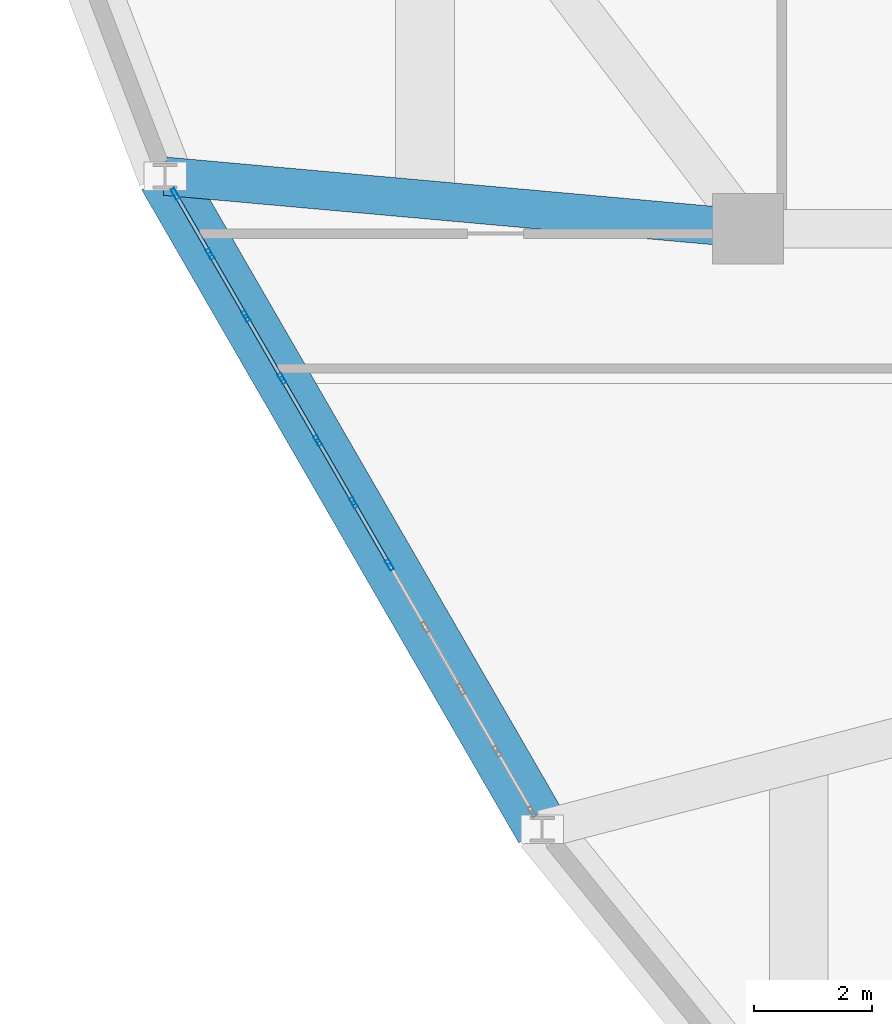
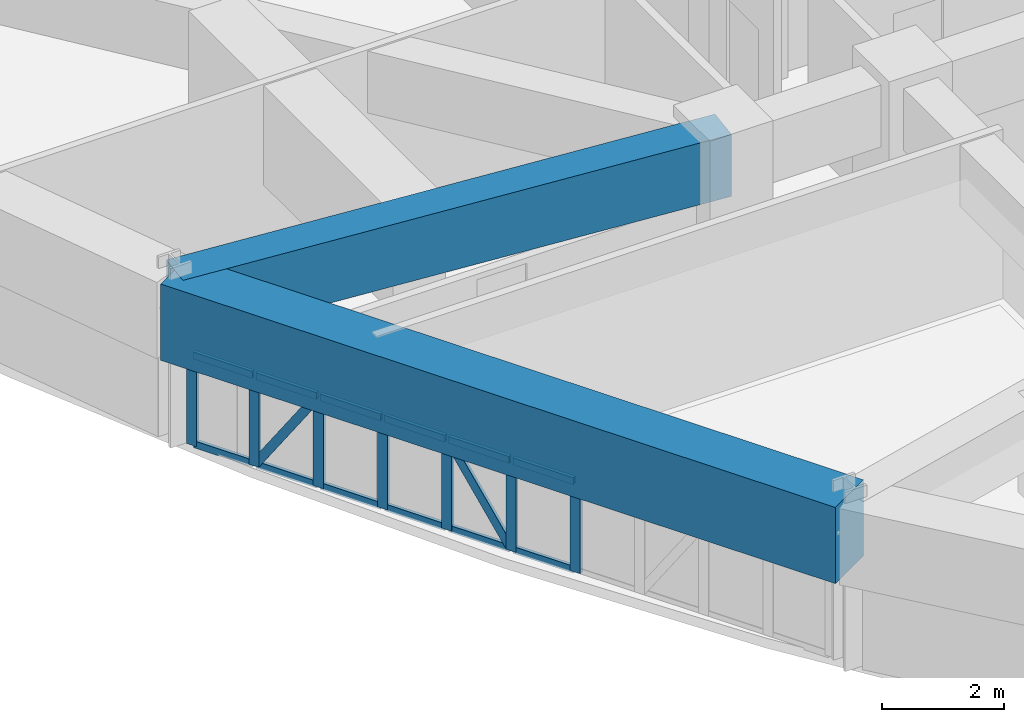
# One storey, part 4 of 15: 21 members, 2 beams, 1 element without a shape of its own.
"""IFC4 building model written with IfcOpenShell, lengths in metres."""

from ifc_helpers import new_model, si_unit, derived_unit, direction, frame, origin, origin_2d, place, context, subcontext, project, spatial, rectangle, hollow_rectangle, extrude, source, transform, mapped, material, layer, layer_set, material_profile, profile_set, type_object, element, aggregate, save


model = new_model("IFC4")

# Units and contexts
model_context = context("Model", 3, precision=1e-05, world=origin(), true_north=direction((0.0, 1.0)))
body_context = subcontext(model_context, "Body", "Model", "MODEL_VIEW")
ifc_project = project(units=[si_unit("LENGTHUNIT", "METRE"), si_unit("AREAUNIT", "SQUARE_METRE"), si_unit("VOLUMEUNIT", "CUBIC_METRE"), si_unit("PLANEANGLEUNIT", "RADIAN"), si_unit("MASSUNIT", "GRAM", prefix="KILO"), derived_unit("THERMALTRANSMITTANCEUNIT", [(si_unit("POWERUNIT", "WATT"), 1), (si_unit("LENGTHUNIT", "METRE"), -2), (si_unit("THERMODYNAMICTEMPERATUREUNIT", "KELVIN"), -1)])], contexts=[model_context])

# Site, building, storey
site_placement = place(None, origin())
site = spatial("IfcSite", under=ifc_project, at=site_placement, CompositionType="ELEMENT")
building_placement = place(site_placement, origin())
building = spatial("IfcBuilding", under=site, at=building_placement, Name="Korsvarv Bourse and Concert Hall", CompositionType="ELEMENT")
storey_placement = place(building_placement, frame((0.0, 0.0, 165.0)))
storey = spatial("IfcBuildingStorey", under=building, at=storey_placement, Name="L42", CompositionType="ELEMENT", Elevation=165.0)

# Beams
ifc_material_1 = material(Name="Concrete C50/60", Category="concrete")
ifc_material_profile_1 = material_profile(ifc_material_1, rectangle(XDim=0.919921875, YDim=1.530029296875, at=origin_2d()), Name="RC-BM 920x1530")
ifc_profile_set_1 = profile_set([ifc_material_profile_1], Name="Concrete C50/60")
beam_type_1 = type_object("IfcBeamType", Name="BM-TR-154", PredefinedType="BEAM", material=ifc_profile_set_1)
shared_shape_1 = source(origin(), body_context, "Body", "SweptSolid", [
    extrude(rectangle(XDim=0.919921875, YDim=1.530029296875, at=origin_2d()), origin(), (0.0, 0.0, 1.0), 12.802978515625),
])
beam_1_placement = place(storey_placement, frame((14.30322265625, 33.2900390625, 2.60498046875), z_axis=(0.500009117708, -0.866020139609, 0.0), x_axis=(0.866020139609, 0.500009117708, 0.0)))
element("IfcBeam", 1, at=beam_1_placement, inside=storey, type_object=beam_type_1, Name="L42 beam B-TR6", PredefinedType="BEAM", context=body_context, shape_type="MappedRepresentation", body=[
    mapped(shared_shape_1, transform((0.0, 0.0, 0.0), scale=1.0)),
])
ifc_material_profile_2 = material_profile(ifc_material_1, rectangle(XDim=0.64990234375, YDim=1.239990234375, at=origin_2d()), Name="RC-BM 650x1240")
ifc_profile_set_2 = profile_set([ifc_material_profile_2], Name="Concrete C50/60")
beam_type_2 = type_object("IfcBeamType", Name="BM-TR-SPN", PredefinedType="BEAM", material=ifc_profile_set_2)
shared_shape_2 = source(origin(), body_context, "Body", "SweptSolid", [
    extrude(rectangle(XDim=0.64990234375, YDim=1.239990234375, at=origin_2d()), origin(), (0.0, 0.0, 1.0), 9.936767578125),
])
beam_2_placement = place(storey_placement, frame((14.30322265625, 33.2900390625, 2.75), z_axis=(0.99597954808, -0.089580912063, 0.0), x_axis=(0.089580912063, 0.99597954808, 0.0)))
element("IfcBeam", 2, at=beam_2_placement, inside=storey, type_object=beam_type_2, Name="L42 beam B-TRS", PredefinedType="BEAM", context=body_context, shape_type="MappedRepresentation", body=[
    mapped(shared_shape_2, transform((0.0, 0.0, 0.0), scale=1.0)),
])

# Curtain wall, members
ifc_material_2 = material(Name="Anodised aluminium and triple low-E glazing", Category="glass")
ifc_layer = layer(ifc_material_2, 0.2099609375)
ifc_layer_set = layer_set([ifc_layer], Name="Anodised aluminium and triple low-E glazing")
curtain_wall_type = type_object("IfcCurtainWallType", Name="CW-SYS-2", PredefinedType="NOTDEFINED", material=ifc_layer_set)
curtain_wall_placement = place(storey_placement, origin())
curtain_wall = element("IfcCurtainWall", 3, at=curtain_wall_placement, inside=storey, type_object=curtain_wall_type, Name="L42 CW2 curtain wall CW-L42-F07", PredefinedType="NOTDEFINED")
ifc_material_3 = material(Name="Extruded aluminium EN AW-6063 T66", Category="aluminium")
ifc_material_profile_3 = material_profile(ifc_material_3, hollow_rectangle(XDim=0.070068359375, YDim=0.18994140625, WallThickness=0.0048828125, at=origin_2d()), Name="ALU-M 70x190")
ifc_profile_set_3 = profile_set([ifc_material_profile_3], Name="Extruded aluminium EN AW-6063 T66")
member_type_1 = type_object("IfcMemberType", Name="CWM-190", PredefinedType="MULLION", material=ifc_profile_set_3)
shared_shape_3 = source(origin(), body_context, "Body", "SweptSolid", [
    extrude(hollow_rectangle(XDim=0.070068359375, YDim=0.18994140625, WallThickness=0.0048828125, at=origin_2d()), origin(), (0.0, 0.0, 1.0), 1.840087890625),
])
member_1_placement = place(storey_placement, frame((14.47509765625, 32.9921875, 0.0), z_axis=(0.0, 0.0, 1.0), x_axis=(0.86602405061, 0.500002343759, 0.0)))
member_1 = element("IfcMember", 4, at=member_1_placement, type_object=member_type_1, Name="CW2 mullion 1", PredefinedType="MULLION", context=body_context, shape_type="MappedRepresentation", body=[
    mapped(shared_shape_3, transform((0.0, 0.0, 0.0), scale=1.0)),
])
member_2_placement = place(storey_placement, frame((15.06689453125, 31.96728515625, 0.0), z_axis=(0.0, 0.0, 1.0), x_axis=(0.86602405061, 0.500002343759, 0.0)))
member_2 = element("IfcMember", 5, at=member_2_placement, type_object=member_type_1, Name="CW2 mullion 2", PredefinedType="MULLION", context=body_context, shape_type="MappedRepresentation", body=[
    mapped(shared_shape_3, transform((0.0, 0.0, 0.0), scale=1.0)),
])
member_3_placement = place(storey_placement, frame((15.67626953125, 30.912109375, 0.0), z_axis=(0.0, 0.0, 1.0), x_axis=(0.86602405061, 0.500002343759, 0.0)))
member_3 = element("IfcMember", 6, at=member_3_placement, type_object=member_type_1, Name="CW2 mullion 3", PredefinedType="MULLION", context=body_context, shape_type="MappedRepresentation", body=[
    mapped(shared_shape_3, transform((0.0, 0.0, 0.0), scale=1.0)),
])
member_4_placement = place(storey_placement, frame((16.285400390625, 29.856689453125, 0.0), z_axis=(0.0, 0.0, 1.0), x_axis=(0.86602405061, 0.500002343759, 0.0)))
member_4 = element("IfcMember", 7, at=member_4_placement, type_object=member_type_1, Name="CW2 mullion 4", PredefinedType="MULLION", context=body_context, shape_type="MappedRepresentation", body=[
    mapped(shared_shape_3, transform((0.0, 0.0, 0.0), scale=1.0)),
])
member_5_placement = place(storey_placement, frame((16.894775390625, 28.801513671875, 0.0), z_axis=(0.0, 0.0, 1.0), x_axis=(0.86602405061, 0.500002343759, 0.0)))
member_5 = element("IfcMember", 8, at=member_5_placement, type_object=member_type_1, Name="CW2 mullion 5", PredefinedType="MULLION", context=body_context, shape_type="MappedRepresentation", body=[
    mapped(shared_shape_3, transform((0.0, 0.0, 0.0), scale=1.0)),
])
member_6_placement = place(storey_placement, frame((17.504150390625, 27.74609375, 0.0), z_axis=(0.0, 0.0, 1.0), x_axis=(0.86602405061, 0.500002343759, 0.0)))
member_6 = element("IfcMember", 9, at=member_6_placement, type_object=member_type_1, Name="CW2 mullion 6", PredefinedType="MULLION", context=body_context, shape_type="MappedRepresentation", body=[
    mapped(shared_shape_3, transform((0.0, 0.0, 0.0), scale=1.0)),
])
member_7_placement = place(storey_placement, frame((18.11328125, 26.69091796875, 0.0), z_axis=(0.0, 0.0, 1.0), x_axis=(0.86602405061, 0.500002343759, 0.0)))
member_7 = element("IfcMember", 10, at=member_7_placement, type_object=member_type_1, Name="CW2 mullion 7", PredefinedType="MULLION", context=body_context, shape_type="MappedRepresentation", body=[
    mapped(shared_shape_3, transform((0.0, 0.0, 0.0), scale=1.0)),
])
ifc_material_profile_4 = material_profile(ifc_material_3, hollow_rectangle(XDim=0.06494140625, YDim=0.139892578125, WallThickness=0.00390625, at=origin_2d()), Name="ALU-T 65x140")
ifc_profile_set_4 = profile_set([ifc_material_profile_4], Name="Extruded aluminium EN AW-6063 T66")
member_type_2 = type_object("IfcMemberType", Name="CWT-140", PredefinedType="USERDEFINED", material=ifc_profile_set_4)
shared_shape_4 = source(origin(), body_context, "Body", "SweptSolid", [
    extrude(hollow_rectangle(XDim=0.06494140625, YDim=0.139892578125, WallThickness=0.00390625, at=origin_2d()), origin(), (0.0, 0.0, 1.0), 1.113525390625),
])
member_8_placement = place(storey_placement, frame((14.49267578125, 32.9619140625, 0.032470703125), z_axis=(0.500076692731, -0.865981120687, 0.0), x_axis=(0.865981120687, 0.500076692731, 0.0)))
member_8 = element("IfcMember", 11, at=member_8_placement, type_object=member_type_2, Name="CW2 transom 1.1", ObjectType="TRANSOM", PredefinedType="USERDEFINED", context=body_context, shape_type="MappedRepresentation", body=[
    mapped(shared_shape_4, transform((0.0, 0.0, 0.0), scale=1.0)),
])
member_9_placement = place(storey_placement, frame((14.49267578125, 32.9619140625, 1.8076171875), z_axis=(0.500076692731, -0.865981120687, 0.0), x_axis=(0.865981120687, 0.500076692731, 0.0)))
member_9 = element("IfcMember", 12, at=member_9_placement, type_object=member_type_2, Name="CW2 transom 1.2", ObjectType="TRANSOM", PredefinedType="USERDEFINED", context=body_context, shape_type="MappedRepresentation", body=[
    mapped(shared_shape_4, transform((0.0, 0.0, 0.0), scale=1.0)),
])
shared_shape_5 = source(origin(), body_context, "Body", "SweptSolid", [
    extrude(hollow_rectangle(XDim=0.06494140625, YDim=0.139892578125, WallThickness=0.00390625, at=origin_2d()), origin(), (0.0, 0.0, 1.0), 1.1484375),
])
member_10_placement = place(storey_placement, frame((15.08447265625, 31.93701171875, 0.032470703125), z_axis=(0.499980071345, -0.866036909293, 0.0), x_axis=(0.866036909293, 0.499980071345, 0.0)))
member_10 = element("IfcMember", 13, at=member_10_placement, type_object=member_type_2, Name="CW2 transom 2.1", ObjectType="TRANSOM", PredefinedType="USERDEFINED", context=body_context, shape_type="MappedRepresentation", body=[
    mapped(shared_shape_5, transform((0.0, 0.0, 0.0), scale=1.0)),
])
member_11_placement = place(storey_placement, frame((15.08447265625, 31.93701171875, 1.8076171875), z_axis=(0.499980071345, -0.866036909293, 0.0), x_axis=(0.866036909293, 0.499980071345, 0.0)))
member_11 = element("IfcMember", 14, at=member_11_placement, type_object=member_type_2, Name="CW2 transom 2.2", ObjectType="TRANSOM", PredefinedType="USERDEFINED", context=body_context, shape_type="MappedRepresentation", body=[
    mapped(shared_shape_5, transform((0.0, 0.0, 0.0), scale=1.0)),
])
member_12_placement = place(storey_placement, frame((16.302978515625, 29.826416015625, 0.032470703125), z_axis=(0.499980071345, -0.866036909293, 0.0), x_axis=(0.866036909293, 0.499980071345, 0.0)))
member_12 = element("IfcMember", 15, at=member_12_placement, type_object=member_type_2, Name="CW2 transom 4.1", ObjectType="TRANSOM", PredefinedType="USERDEFINED", context=body_context, shape_type="MappedRepresentation", body=[
    mapped(shared_shape_5, transform((0.0, 0.0, 0.0), scale=1.0)),
])
member_13_placement = place(storey_placement, frame((16.302978515625, 29.826416015625, 1.8076171875), z_axis=(0.499980071345, -0.866036909293, 0.0), x_axis=(0.866036909293, 0.499980071345, 0.0)))
member_13 = element("IfcMember", 16, at=member_13_placement, type_object=member_type_2, Name="CW2 transom 4.2", ObjectType="TRANSOM", PredefinedType="USERDEFINED", context=body_context, shape_type="MappedRepresentation", body=[
    mapped(shared_shape_5, transform((0.0, 0.0, 0.0), scale=1.0)),
])
member_14_placement = place(storey_placement, frame((16.912353515625, 28.771240234375, 0.032470703125), z_axis=(0.499980071345, -0.866036909293, 0.0), x_axis=(0.866036909293, 0.499980071345, 0.0)))
member_14 = element("IfcMember", 17, at=member_14_placement, type_object=member_type_2, Name="CW2 transom 5.1", ObjectType="TRANSOM", PredefinedType="USERDEFINED", context=body_context, shape_type="MappedRepresentation", body=[
    mapped(shared_shape_5, transform((0.0, 0.0, 0.0), scale=1.0)),
])
member_15_placement = place(storey_placement, frame((16.912353515625, 28.771240234375, 1.8076171875), z_axis=(0.499980071345, -0.866036909293, 0.0), x_axis=(0.866036909293, 0.499980071345, 0.0)))
member_15 = element("IfcMember", 18, at=member_15_placement, type_object=member_type_2, Name="CW2 transom 5.2", ObjectType="TRANSOM", PredefinedType="USERDEFINED", context=body_context, shape_type="MappedRepresentation", body=[
    mapped(shared_shape_5, transform((0.0, 0.0, 0.0), scale=1.0)),
])
member_16_placement = place(storey_placement, frame((17.521484375, 27.7158203125, 0.032470703125), z_axis=(0.499980071345, -0.866036909293, 0.0), x_axis=(0.866036909293, 0.499980071345, 0.0)))
member_16 = element("IfcMember", 19, at=member_16_placement, type_object=member_type_2, Name="CW2 transom 6.1", ObjectType="TRANSOM", PredefinedType="USERDEFINED", context=body_context, shape_type="MappedRepresentation", body=[
    mapped(shared_shape_5, transform((0.0, 0.0, 0.0), scale=1.0)),
])
member_17_placement = place(storey_placement, frame((17.521484375, 27.7158203125, 1.8076171875), z_axis=(0.499980071345, -0.866036909293, 0.0), x_axis=(0.866036909293, 0.499980071345, 0.0)))
member_17 = element("IfcMember", 20, at=member_17_placement, type_object=member_type_2, Name="CW2 transom 6.2", ObjectType="TRANSOM", PredefinedType="USERDEFINED", context=body_context, shape_type="MappedRepresentation", body=[
    mapped(shared_shape_5, transform((0.0, 0.0, 0.0), scale=1.0)),
])
ifc_material_profile_5 = material_profile(ifc_material_3, hollow_rectangle(XDim=0.06494140625, YDim=0.1650390625, WallThickness=0.0048828125, at=origin_2d()), Name="ALU-M 65x165")
ifc_profile_set_5 = profile_set([ifc_material_profile_5], Name="Extruded aluminium EN AW-6063 T66")
member_type_3 = type_object("IfcMemberType", Name="CWM-165", PredefinedType="MULLION", material=ifc_profile_set_5)
shared_shape_6 = source(origin(), body_context, "Body", "SweptSolid", [
    extrude(hollow_rectangle(XDim=0.06494140625, YDim=0.1650390625, WallThickness=0.0048828125, at=origin_2d()), origin(), (0.0, 0.0, 1.0), 2.059814453125),
])
member_18_placement = place(storey_placement, frame((15.08447265625, 31.93701171875, 0.06494140625), z_axis=(0.278767323104, -0.48286482752, 0.830138746183), x_axis=(0.866036909293, 0.499980071345, 0.0)))
member_18 = element("IfcMember", 21, at=member_18_placement, type_object=member_type_3, Name="CW2 diagonal mullion 2", PredefinedType="MULLION", context=body_context, shape_type="MappedRepresentation", body=[
    mapped(shared_shape_6, transform((0.0, 0.0, 0.0), scale=1.0)),
])
member_19_placement = place(storey_placement, frame((17.486572265625, 27.776611328125, 0.06494140625), z_axis=(-0.278767323104, 0.48286482752, 0.830138746183), x_axis=(-0.866036909293, -0.499980071345, 0.0)))
member_19 = element("IfcMember", 22, at=member_19_placement, type_object=member_type_3, Name="CW2 diagonal mullion 5", PredefinedType="MULLION", context=body_context, shape_type="MappedRepresentation", body=[
    mapped(shared_shape_6, transform((0.0, 0.0, 0.0), scale=1.0)),
])
shared_shape_7 = source(origin(), body_context, "Body", "SweptSolid", [
    extrude(hollow_rectangle(XDim=0.06494140625, YDim=0.139892578125, WallThickness=0.00390625, at=origin_2d()), origin(), (0.0, 0.0, 1.0), 1.148681640625),
])
member_20_placement = place(storey_placement, frame((15.69384765625, 30.8818359375, 0.032470703125), z_axis=(0.49988803956, -0.866090034526, 0.0), x_axis=(0.866090034526, 0.49988803956, 0.0)))
member_20 = element("IfcMember", 23, at=member_20_placement, type_object=member_type_2, Name="CW2 transom 3.1", ObjectType="TRANSOM", PredefinedType="USERDEFINED", context=body_context, shape_type="MappedRepresentation", body=[
    mapped(shared_shape_7, transform((0.0, 0.0, 0.0), scale=1.0)),
])
member_21_placement = place(storey_placement, frame((15.69384765625, 30.8818359375, 1.8076171875), z_axis=(0.49988803956, -0.866090034526, 0.0), x_axis=(0.866090034526, 0.49988803956, 0.0)))
member_21 = element("IfcMember", 24, at=member_21_placement, type_object=member_type_2, Name="CW2 transom 3.2", ObjectType="TRANSOM", PredefinedType="USERDEFINED", context=body_context, shape_type="MappedRepresentation", body=[
    mapped(shared_shape_7, transform((0.0, 0.0, 0.0), scale=1.0)),
])
aggregate(curtain_wall, [member_1, member_2, member_3, member_4, member_5, member_6, member_7, member_8, member_9, member_10, member_11, member_18, member_20, member_21, member_12, member_13, member_14, member_15, member_19, member_16, member_17])

save(model, "model.ifc")
